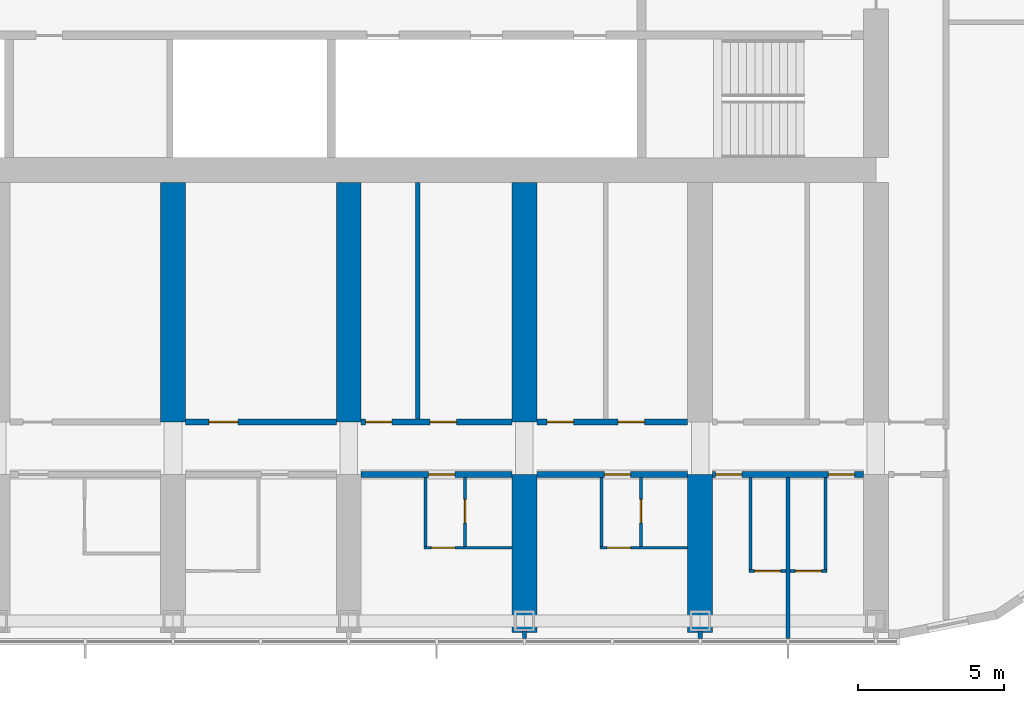
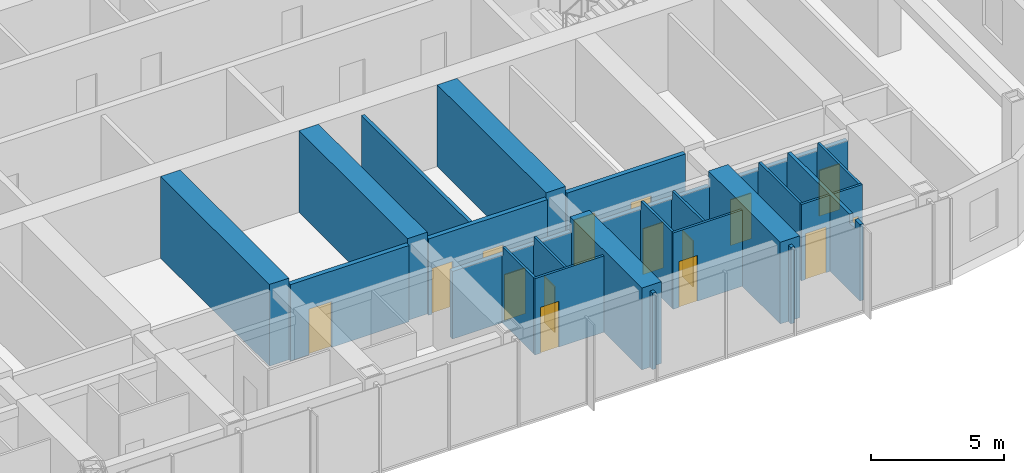
# One storey, part 14 of 27: 25 walls, 15 doors, 15 openings.
"""IFC4 building model written with IfcOpenShell, lengths in metres."""

from ifc_helpers import new_model, si_unit, direction, frame, frame_2d, origin, place, context, subcontext, project, spatial, polyline, rectangle, outline, extrude, material, layer, layer_set, type_object, element, fill, save


model = new_model("IFC4")

# Units and contexts
model_context = context("Model", 3, precision=1e-05, world=origin(), true_north=direction((0.0, 1.0)))
body_context = subcontext(model_context, "Body", "Model", "MODEL_VIEW")
ifc_project = project(units=[si_unit("LENGTHUNIT", "METRE"), si_unit("AREAUNIT", "SQUARE_METRE"), si_unit("VOLUMEUNIT", "CUBIC_METRE"), si_unit("PLANEANGLEUNIT", "RADIAN"), si_unit("MASSUNIT", "GRAM", prefix="KILO")], contexts=[model_context])

# Site, building, storey
site_placement = place(None, origin())
site = spatial("IfcSite", under=ifc_project, at=site_placement, CompositionType="ELEMENT")
building_placement = place(site_placement, origin())
building = spatial("IfcBuilding", under=site, at=building_placement, Name="Orbita Commons", CompositionType="ELEMENT")
storey_placement = place(building_placement, frame((0.0, 0.0, 178.60009765625)))
storey = spatial("IfcBuildingStorey", under=building, at=storey_placement, Name="L44", CompositionType="ELEMENT", Elevation=178.60009765625)

# Wall, opening, door
ifc_material_1 = material(Name="Concrete blockwork", Category="masonry")
ifc_layer_1 = layer(ifc_material_1, 0.199951171875)
ifc_layer_set_1 = layer_set([ifc_layer_1], Name="Concrete blockwork")
wall_type_1 = type_object("IfcWallType", Name="Corridor wall 200 blockwork", PredefinedType="SOLIDWALL", material=ifc_layer_set_1)
wall_1_placement = place(storey_placement, frame((48.425048828125, 15.39990234375, 0.0), z_axis=(0.0, 0.0, 1.0), x_axis=(1.0, 0.0, 0.0)))
wall_1 = element("IfcWall", 1, at=wall_1_placement, inside=storey, type_object=wall_type_1, Name="Corridor wall 200 blockwork L44", PredefinedType="SOLIDWALL", context=body_context, shape_type="SweptSolid", body=[
    extrude(outline(polyline([(0.0, 0.0), (5.14990234375, 0.0), (5.14990234375, 3.099853515625), (0.0, 3.099853515625), (0.0, 0.0)])), frame((0.0, 0.10009765625, 0.0), z_axis=(0.0, -1.0, 0.0), x_axis=(1.0, 0.0, 0.0)), (0.0, 0.0, 1.0), 0.199951171875),
])
opening_1_placement = place(wall_1_placement, frame((2.300048828125, 0.0, 0.0)))
opening_1 = element("IfcOpeningElement", 2, at=opening_1_placement, cuts=wall_1, Name="Opening D11", PredefinedType="OPENING", context=body_context, shape_type="SweptSolid", body=[
    extrude(rectangle(XDim=0.89990234375, YDim=2.10009765625, at=frame_2d((0.449951171875, 1.050048828125))), frame((0.0, 0.10986328125, 0.0), z_axis=(0.0, -1.0, 0.0), x_axis=(1.0, 0.0, 0.0)), (0.0, 0.0, 1.0), 0.219970703125),
])
ifc_material_2 = material(Name="Steel-faced fire door leaf", Category="steel")
door_type_1 = type_object("IfcDoorType", Name="Corridor door 20 min 900x2100", OperationType="SINGLE_SWING_LEFT", PredefinedType="DOOR", material=ifc_material_2)
door_1_placement = place(opening_1_placement, origin())
door_1 = element("IfcDoor", 3, at=door_1_placement, inside=storey, type_object=door_type_1, Name="Studio flat L44-S10 entrance door", OperationType="SINGLE_SWING_LEFT", OverallHeight=2.10009765625, OverallWidth=0.89990234375, PredefinedType="DOOR", context=body_context, shape_type="SweptSolid", body=[
    extrude(rectangle(XDim=0.89990234375, YDim=2.10009765625, at=frame_2d((0.449951171875, 1.050048828125))), frame((0.0, 0.02490234375, 0.0), z_axis=(0.0, -1.0, 0.0), x_axis=(1.0, 0.0, 0.0)), (0.0, 0.0, 1.0), 0.050048828125),
])
fill(opening_1, door_1)

wall_2_placement = place(storey_placement, frame((54.425048828125, 15.39990234375, 0.0), z_axis=(0.0, 0.0, 1.0), x_axis=(1.0, 0.0, 0.0)))
wall_2 = element("IfcWall", 4, at=wall_2_placement, inside=storey, type_object=wall_type_1, Name="Corridor wall 200 blockwork L44", PredefinedType="SOLIDWALL", context=body_context, shape_type="SweptSolid", body=[
    extrude(outline(polyline([(0.0, 0.0), (5.14990234375, 0.0), (5.14990234375, 3.099853515625), (0.0, 3.099853515625), (0.0, 0.0)])), frame((0.0, 0.10009765625, 0.0), z_axis=(0.0, -1.0, 0.0), x_axis=(1.0, 0.0, 0.0)), (0.0, 0.0, 1.0), 0.199951171875),
])
opening_2_placement = place(wall_2_placement, frame((2.300048828125, 0.0, 0.0)))
opening_2 = element("IfcOpeningElement", 5, at=opening_2_placement, cuts=wall_2, Name="Opening D11", PredefinedType="OPENING", context=body_context, shape_type="SweptSolid", body=[
    extrude(rectangle(XDim=0.89990234375, YDim=2.10009765625, at=frame_2d((0.449951171875, 1.050048828125))), frame((0.0, 0.10986328125, 0.0), z_axis=(0.0, -1.0, 0.0), x_axis=(1.0, 0.0, 0.0)), (0.0, 0.0, 1.0), 0.219970703125),
])
door_2_placement = place(opening_2_placement, origin())
door_2 = element("IfcDoor", 6, at=door_2_placement, inside=storey, type_object=door_type_1, Name="Studio flat L44-S12 entrance door", OperationType="SINGLE_SWING_LEFT", OverallHeight=2.10009765625, OverallWidth=0.89990234375, PredefinedType="DOOR", context=body_context, shape_type="SweptSolid", body=[
    extrude(rectangle(XDim=0.89990234375, YDim=2.10009765625, at=frame_2d((0.449951171875, 1.050048828125))), frame((0.0, 0.02490234375, 0.0), z_axis=(0.0, -1.0, 0.0), x_axis=(1.0, 0.0, 0.0)), (0.0, 0.0, 1.0), 0.050048828125),
])
fill(opening_2, door_2)

# Wall, openings, doors
wall_3_placement = place(storey_placement, frame((60.425048828125, 15.39990234375, 0.0), z_axis=(0.0, 0.0, 1.0), x_axis=(1.0, 0.0, 0.0)))
wall_3 = element("IfcWall", 7, at=wall_3_placement, inside=storey, type_object=wall_type_1, Name="Corridor wall 200 blockwork L44", PredefinedType="SOLIDWALL", context=body_context, shape_type="SweptSolid", body=[
    extrude(outline(polyline([(0.0, 0.0), (5.14990234375, 0.0), (5.14990234375, 3.099853515625), (0.0, 3.099853515625), (0.0, 0.0)])), frame((0.0, 0.10009765625, 0.0), z_axis=(0.0, -1.0, 0.0), x_axis=(1.0, 0.0, 0.0)), (0.0, 0.0, 1.0), 0.199951171875),
])
opening_3_placement = place(wall_3_placement, frame((0.10009765625, 0.0, 0.0)))
opening_3 = element("IfcOpeningElement", 8, at=opening_3_placement, cuts=wall_3, Name="Opening D11", PredefinedType="OPENING", context=body_context, shape_type="SweptSolid", body=[
    extrude(rectangle(XDim=0.89990234375, YDim=2.10009765625, at=frame_2d((0.449951171875, 1.050048828125))), frame((0.0, 0.10986328125, 0.0), z_axis=(0.0, -1.0, 0.0), x_axis=(1.0, 0.0, 0.0)), (0.0, 0.0, 1.0), 0.219970703125),
])
opening_4_placement = place(wall_3_placement, frame((3.949951171875, 0.0, 0.0)))
opening_4 = element("IfcOpeningElement", 9, at=opening_4_placement, cuts=wall_3, Name="Opening D11", PredefinedType="OPENING", context=body_context, shape_type="SweptSolid", body=[
    extrude(rectangle(XDim=0.89990234375, YDim=2.10009765625, at=frame_2d((0.449951171875, 1.050048828125))), frame((0.0, 0.10986328125, 0.0), z_axis=(0.0, -1.0, 0.0), x_axis=(1.0, 0.0, 0.0)), (0.0, 0.0, 1.0), 0.219970703125),
])
door_3_placement = place(opening_3_placement, origin())
door_3 = element("IfcDoor", 10, at=door_3_placement, inside=storey, type_object=door_type_1, Name="Cluster bedroom L44-S14 door", OperationType="SINGLE_SWING_LEFT", OverallHeight=2.10009765625, OverallWidth=0.89990234375, PredefinedType="DOOR", context=body_context, shape_type="SweptSolid", body=[
    extrude(rectangle(XDim=0.89990234375, YDim=2.10009765625, at=frame_2d((0.449951171875, 1.050048828125))), frame((0.0, 0.02490234375, 0.0), z_axis=(0.0, -1.0, 0.0), x_axis=(1.0, 0.0, 0.0)), (0.0, 0.0, 1.0), 0.050048828125),
])
fill(opening_3, door_3)
door_4_placement = place(opening_4_placement, origin())
door_4 = element("IfcDoor", 11, at=door_4_placement, inside=storey, type_object=door_type_1, Name="Cluster bedroom L44-S15 door", OperationType="SINGLE_SWING_LEFT", OverallHeight=2.10009765625, OverallWidth=0.89990234375, PredefinedType="DOOR", context=body_context, shape_type="SweptSolid", body=[
    extrude(rectangle(XDim=0.89990234375, YDim=2.10009765625, at=frame_2d((0.449951171875, 1.050048828125))), frame((0.0, 0.02490234375, 0.0), z_axis=(0.0, -1.0, 0.0), x_axis=(1.0, 0.0, 0.0)), (0.0, 0.0, 1.0), 0.050048828125),
])
fill(opening_4, door_4)

# Wall, opening, door
ifc_material_3 = material(Name="Hollow concrete block 200", Category="concrete")
ifc_layer_2 = layer(ifc_material_3, 0.199951171875)
ifc_layer_set_2 = layer_set([ifc_layer_2], Name="Hollow concrete block 200")
wall_type_2 = type_object("IfcWallType", Name="Corridor wall 200 hollow concrete block", PredefinedType="SOLIDWALL", material=ifc_layer_set_2)
wall_4_placement = place(storey_placement, frame((42.425048828125, 17.199951171875, 0.0), z_axis=(0.0, 0.0, 1.0), x_axis=(1.0, 0.0, 0.0)))
wall_4 = element("IfcWall", 12, at=wall_4_placement, inside=storey, type_object=wall_type_2, Name="Corridor wall 200 hollow concrete block L44", PredefinedType="SOLIDWALL", context=body_context, shape_type="SweptSolid", body=[
    extrude(rectangle(XDim=5.14990234375, YDim=0.199951171875, at=frame_2d((2.574951171875, 0.0))), origin(), (0.0, 0.0, 1.0), 3.5),
])
opening_5_placement = place(wall_4_placement, frame((0.800048828125, 0.0, 0.0)))
opening_5 = element("IfcOpeningElement", 13, at=opening_5_placement, cuts=wall_4, Name="Opening D06", PredefinedType="OPENING", context=body_context, shape_type="SweptSolid", body=[
    extrude(rectangle(XDim=1.0, YDim=2.10009765625, at=frame_2d((0.5, 1.050048828125))), frame((0.0, 0.10986328125, 0.0), z_axis=(0.0, -1.0, 0.0), x_axis=(1.0, 0.0, 0.0)), (0.0, 0.0, 1.0), 0.219970703125),
])
ifc_material_4 = material(Name="Steel-faced fire door leaf", Category="steel")
door_type_2 = type_object("IfcDoorType", Name="Corridor door 20 min 1000x2100", OperationType="SINGLE_SWING_LEFT", PredefinedType="DOOR", material=ifc_material_4)
door_5_placement = place(opening_5_placement, origin())
door_5 = element("IfcDoor", 14, at=door_5_placement, inside=storey, type_object=door_type_2, Name="Linen store L44-BDS42 door", OperationType="SINGLE_SWING_LEFT", OverallHeight=2.10009765625, OverallWidth=1.0, PredefinedType="DOOR", context=body_context, shape_type="SweptSolid", body=[
    extrude(rectangle(XDim=1.0, YDim=2.10009765625, at=frame_2d((0.5, 1.050048828125))), frame((0.0, 0.02490234375, 0.0), z_axis=(0.0, -1.0, 0.0), x_axis=(1.0, 0.0, 0.0)), (0.0, 0.0, 1.0), 0.050048828125),
])
fill(opening_5, door_5)

# Wall, openings, doors
wall_5_placement = place(storey_placement, frame((48.425048828125, 17.199951171875, 0.0), z_axis=(0.0, 0.0, 1.0), x_axis=(1.0, 0.0, 0.0)))
wall_5 = element("IfcWall", 15, at=wall_5_placement, inside=storey, type_object=wall_type_2, Name="Corridor wall 200 hollow concrete block L44", PredefinedType="SOLIDWALL", context=body_context, shape_type="SweptSolid", body=[
    extrude(rectangle(XDim=5.14990234375, YDim=0.199951171875, at=frame_2d((2.574951171875, 0.0))), origin(), (0.0, 0.0, 1.0), 3.5),
])
opening_6_placement = place(wall_5_placement, frame((0.14990234375, 0.0, 0.0)))
opening_6 = element("IfcOpeningElement", 16, at=opening_6_placement, cuts=wall_5, Name="Opening D11", PredefinedType="OPENING", context=body_context, shape_type="SweptSolid", body=[
    extrude(rectangle(XDim=0.89990234375, YDim=2.10009765625, at=frame_2d((0.449951171875, 1.050048828125))), frame((0.0, 0.10986328125, 0.0), z_axis=(0.0, -1.0, 0.0), x_axis=(1.0, 0.0, 0.0)), (0.0, 0.0, 1.0), 0.219970703125),
])
opening_7_placement = place(wall_5_placement, frame((2.35498046875, 0.0, 0.0)))
opening_7 = element("IfcOpeningElement", 17, at=opening_7_placement, cuts=wall_5, Name="Opening D11", PredefinedType="OPENING", context=body_context, shape_type="SweptSolid", body=[
    extrude(rectangle(XDim=0.89990234375, YDim=2.10009765625, at=frame_2d((0.449951171875, 1.050048828125))), frame((0.0, 0.10986328125, 0.0), z_axis=(0.0, -1.0, 0.0), x_axis=(1.0, 0.0, 0.0)), (0.0, 0.0, 1.0), 0.219970703125),
])
door_6_placement = place(opening_6_placement, origin())
door_6 = element("IfcDoor", 18, at=door_6_placement, inside=storey, type_object=door_type_1, Name="Equipment store L44-BDS48n door", OperationType="SINGLE_SWING_LEFT", OverallHeight=2.10009765625, OverallWidth=0.89990234375, PredefinedType="DOOR", context=body_context, shape_type="SweptSolid", body=[
    extrude(rectangle(XDim=0.89990234375, YDim=2.10009765625, at=frame_2d((0.449951171875, 1.050048828125))), frame((0.0, 0.02490234375, 0.0), z_axis=(0.0, -1.0, 0.0), x_axis=(1.0, 0.0, 0.0)), (0.0, 0.0, 1.0), 0.050048828125),
])
fill(opening_6, door_6)
door_7_placement = place(opening_7_placement, origin())
door_7 = element("IfcDoor", 19, at=door_7_placement, inside=storey, type_object=door_type_1, Name="Project room L44-BDS48 door", OperationType="SINGLE_SWING_LEFT", OverallHeight=2.10009765625, OverallWidth=0.89990234375, PredefinedType="DOOR", context=body_context, shape_type="SweptSolid", body=[
    extrude(rectangle(XDim=0.89990234375, YDim=2.10009765625, at=frame_2d((0.449951171875, 1.050048828125))), frame((0.0, 0.02490234375, 0.0), z_axis=(0.0, -1.0, 0.0), x_axis=(1.0, 0.0, 0.0)), (0.0, 0.0, 1.0), 0.050048828125),
])
fill(opening_7, door_7)

wall_6_placement = place(storey_placement, frame((54.425048828125, 17.199951171875, 0.0), z_axis=(0.0, 0.0, 1.0), x_axis=(1.0, 0.0, 0.0)))
wall_6 = element("IfcWall", 20, at=wall_6_placement, inside=storey, type_object=wall_type_2, Name="Corridor wall 200 hollow concrete block L44", PredefinedType="SOLIDWALL", context=body_context, shape_type="SweptSolid", body=[
    extrude(rectangle(XDim=5.14990234375, YDim=0.199951171875, at=frame_2d((2.574951171875, 0.0))), origin(), (0.0, 0.0, 1.0), 3.5),
])
opening_8_placement = place(wall_6_placement, frame((0.35009765625, 0.0, 0.0)))
opening_8 = element("IfcOpeningElement", 21, at=opening_8_placement, cuts=wall_6, Name="Opening D11", PredefinedType="OPENING", context=body_context, shape_type="SweptSolid", body=[
    extrude(rectangle(XDim=0.89990234375, YDim=2.10009765625, at=frame_2d((0.449951171875, 1.050048828125))), frame((0.0, 0.10986328125, 0.0), z_axis=(0.0, -1.0, 0.0), x_axis=(1.0, 0.0, 0.0)), (0.0, 0.0, 1.0), 0.219970703125),
])
opening_9_placement = place(wall_6_placement, frame((2.77490234375, 0.0, 0.0)))
opening_9 = element("IfcOpeningElement", 22, at=opening_9_placement, cuts=wall_6, Name="Opening D11", PredefinedType="OPENING", context=body_context, shape_type="SweptSolid", body=[
    extrude(rectangle(XDim=0.89990234375, YDim=2.10009765625, at=frame_2d((0.449951171875, 1.050048828125))), frame((0.0, 0.10986328125, 0.0), z_axis=(0.0, -1.0, 0.0), x_axis=(1.0, 0.0, 0.0)), (0.0, 0.0, 1.0), 0.219970703125),
])
door_8_placement = place(opening_8_placement, origin())
door_8 = element("IfcDoor", 23, at=door_8_placement, inside=storey, type_object=door_type_1, Name="Battery and UPS room L44-BDS54n door", OperationType="SINGLE_SWING_LEFT", OverallHeight=2.10009765625, OverallWidth=0.89990234375, PredefinedType="DOOR", context=body_context, shape_type="SweptSolid", body=[
    extrude(rectangle(XDim=0.89990234375, YDim=2.10009765625, at=frame_2d((0.449951171875, 1.050048828125))), frame((0.0, 0.02490234375, 0.0), z_axis=(0.0, -1.0, 0.0), x_axis=(1.0, 0.0, 0.0)), (0.0, 0.0, 1.0), 0.050048828125),
])
fill(opening_8, door_8)
door_9_placement = place(opening_9_placement, origin())
door_9 = element("IfcDoor", 24, at=door_9_placement, inside=storey, type_object=door_type_1, Name="Recording room L44-BDS54 door", OperationType="SINGLE_SWING_LEFT", OverallHeight=2.10009765625, OverallWidth=0.89990234375, PredefinedType="DOOR", context=body_context, shape_type="SweptSolid", body=[
    extrude(rectangle(XDim=0.89990234375, YDim=2.10009765625, at=frame_2d((0.449951171875, 1.050048828125))), frame((0.0, 0.02490234375, 0.0), z_axis=(0.0, -1.0, 0.0), x_axis=(1.0, 0.0, 0.0)), (0.0, 0.0, 1.0), 0.050048828125),
])
fill(opening_9, door_9)

# Walls
ifc_material_5 = material(Name="Concrete C50/60", Category="concrete")
ifc_layer_3 = layer(ifc_material_5, 0.85009765625)
ifc_layer_set_3 = layer_set([ifc_layer_3], Name="Concrete C50/60")
wall_type_3 = type_object("IfcWallType", Name="Cross wall 850 C50/60", PredefinedType="SHEAR", material=ifc_layer_set_3)
for number, where, z_axis, x_axis, name in (
    (25, (42.0, 17.199951171875, 0.0), (0.0, 0.0, 1.0), (0.0, 1.0, 0.0), "Cross wall 8 south inner L44"),
    (26, (48.0, 17.199951171875, 0.0), (0.0, 0.0, 1.0), (0.0, 1.0, 0.0), "Cross wall 9 south inner L44"),
):
    element("IfcWall", number, at=place(storey_placement, frame(where, z_axis=z_axis, x_axis=x_axis)), inside=storey, type_object=wall_type_3, Name=name, PredefinedType="SHEAR", context=body_context, shape_type="SweptSolid", body=[
        extrude(rectangle(XDim=8.175048828125, YDim=0.85009765625, at=frame_2d((4.08740234375, 0.0))), origin(), (0.0, 0.0, 1.0), 3.75),
    ])
wall_7_placement = place(storey_placement, frame((54.0, 10.0, 0.0), z_axis=(0.0, 0.0, 1.0), x_axis=(0.0, 1.0, 0.0)))
element("IfcWall", 27, at=wall_7_placement, inside=storey, type_object=wall_type_3, Name="Cross wall 10 south outer L44", PredefinedType="SHEAR", context=body_context, shape_type="SweptSolid", body=[
    extrude(rectangle(XDim=5.39990234375, YDim=0.85009765625, at=frame_2d((2.699951171875, 0.0))), origin(), (0.0, 0.0, 1.0), 3.75),
])
wall_8_placement = place(storey_placement, frame((54.0, 17.199951171875, 0.0), z_axis=(0.0, 0.0, 1.0), x_axis=(0.0, 1.0, 0.0)))
element("IfcWall", 28, at=wall_8_placement, inside=storey, type_object=wall_type_3, Name="Cross wall 10 south inner L44", PredefinedType="SHEAR", context=body_context, shape_type="SweptSolid", body=[
    extrude(rectangle(XDim=8.175048828125, YDim=0.85009765625, at=frame_2d((4.08740234375, 0.0))), origin(), (0.0, 0.0, 1.0), 3.75),
])
wall_9_placement = place(storey_placement, frame((60.0, 10.0, 0.0), z_axis=(0.0, 0.0, 1.0), x_axis=(0.0, 1.0, 0.0)))
element("IfcWall", 29, at=wall_9_placement, inside=storey, type_object=wall_type_3, Name="Cross wall 11 south outer L44", PredefinedType="SHEAR", context=body_context, shape_type="SweptSolid", body=[
    extrude(rectangle(XDim=5.39990234375, YDim=0.85009765625, at=frame_2d((2.699951171875, 0.0))), origin(), (0.0, 0.0, 1.0), 3.75),
])

# Wall, opening, door
ifc_material_6 = material(Name="Moisture-resistant plasterboard on steel studs", Category="steel")
ifc_layer_4 = layer(ifc_material_6, 0.10009765625)
ifc_layer_set_4 = layer_set([ifc_layer_4], Name="Moisture-resistant plasterboard on steel studs")
wall_type_4 = type_object("IfcWallType", Name="En-suite partition 100", PredefinedType="PARTITIONING", material=ifc_layer_set_4)
wall_10_placement = place(storey_placement, frame((53.574951171875, 12.89990234375, 0.0), z_axis=(0.0, 0.0, 1.0), x_axis=(-1.0, 0.0, 0.0)))
wall_10 = element("IfcWall", 30, at=wall_10_placement, inside=storey, type_object=wall_type_4, Name="En-suite partition 100 L44", PredefinedType="PARTITIONING", context=body_context, shape_type="SweptSolid", body=[
    extrude(rectangle(XDim=3.0, YDim=0.10009765625, at=frame_2d((1.5, 0.0))), origin(), (0.0, 0.0, 1.0), 3.5),
])
opening_10_placement = place(wall_10_placement, frame((1.949951171875, 0.0, 0.0)))
opening_10 = element("IfcOpeningElement", 31, at=opening_10_placement, cuts=wall_10, Name="Opening D16", PredefinedType="OPENING", context=body_context, shape_type="SweptSolid", body=[
    extrude(rectangle(XDim=0.800048828125, YDim=2.10009765625, at=frame_2d((0.39990234375, 1.050048828125))), frame((0.0, 0.06005859375, 0.0), z_axis=(0.0, -1.0, 0.0), x_axis=(1.0, 0.0, 0.0)), (0.0, 0.0, 1.0), 0.1201171875),
])
ifc_material_7 = material(Name="Laminated timber door leaf", Category="wood")
door_type_3 = type_object("IfcDoorType", Name="En-suite door 800x2100", OperationType="SINGLE_SWING_RIGHT", PredefinedType="DOOR", material=ifc_material_7)
door_10_placement = place(opening_10_placement, origin())
door_10 = element("IfcDoor", 32, at=door_10_placement, inside=storey, type_object=door_type_3, Name="Studio flat L44-S10 door", OperationType="SINGLE_SWING_RIGHT", OverallHeight=2.10009765625, OverallWidth=0.800048828125, PredefinedType="DOOR", context=body_context, shape_type="SweptSolid", body=[
    extrude(rectangle(XDim=0.800048828125, YDim=2.10009765625, at=frame_2d((0.39990234375, 1.050048828125))), frame((0.0, 0.02490234375, 0.0), z_axis=(0.0, -1.0, 0.0), x_axis=(1.0, 0.0, 0.0)), (0.0, 0.0, 1.0), 0.050048828125),
])
fill(opening_10, door_10)

# Wall
wall_11_placement = place(storey_placement, frame((50.625, 12.949951171875, 0.0), z_axis=(0.0, 0.0, 1.0), x_axis=(0.0, 1.0, 0.0)))
element("IfcWall", 33, at=wall_11_placement, inside=storey, type_object=wall_type_4, Name="En-suite partition 100 L44", PredefinedType="PARTITIONING", context=body_context, shape_type="SweptSolid", body=[
    extrude(outline(polyline([(0.0, 0.0), (2.35009765625, 0.0), (2.35009765625, 3.099853515625), (2.302001953125, 3.099853515625), (2.300048828125, 3.5), (0.0, 3.5), (0.0, 0.0)])), frame((0.0, 0.050048828125, 0.0), z_axis=(0.0, -1.0, 0.0), x_axis=(1.0, 0.0, 0.0)), (0.0, 0.0, 1.0), 0.10009765625),
])

# Wall, opening, door
wall_12_placement = place(storey_placement, frame((51.97509765625, 12.949951171875, 0.0), z_axis=(0.0, 0.0, 1.0), x_axis=(0.0, 1.0, 0.0)))
wall_12 = element("IfcWall", 34, at=wall_12_placement, inside=storey, type_object=wall_type_4, Name="En-suite partition 100 L44", PredefinedType="PARTITIONING", context=body_context, shape_type="SweptSolid", body=[
    extrude(outline(polyline([(0.0, 0.0), (2.35009765625, 0.0), (2.35009765625, 3.099853515625), (2.302001953125, 3.099853515625), (2.300048828125, 3.5), (0.0, 3.5), (0.0, 0.0)])), frame((0.0, 0.050048828125, 0.0), z_axis=(0.0, -1.0, 0.0), x_axis=(1.0, 0.0, 0.0)), (0.0, 0.0, 1.0), 0.10009765625),
])
opening_11_placement = place(wall_12_placement, frame((0.800048828125, 0.0, 0.0)))
opening_11 = element("IfcOpeningElement", 35, at=opening_11_placement, cuts=wall_12, Name="Opening D16", PredefinedType="OPENING", context=body_context, shape_type="SweptSolid", body=[
    extrude(rectangle(XDim=0.800048828125, YDim=2.10009765625, at=frame_2d((0.39990234375, 1.050048828125))), frame((0.0, 0.06005859375, 0.0), z_axis=(0.0, -1.0, 0.0), x_axis=(1.0, 0.0, 0.0)), (0.0, 0.0, 1.0), 0.1201171875),
])
door_11_placement = place(opening_11_placement, origin())
door_11 = element("IfcDoor", 36, at=door_11_placement, inside=storey, type_object=door_type_3, Name="Studio flat shower room L44-S10 door", OperationType="SINGLE_SWING_RIGHT", OverallHeight=2.10009765625, OverallWidth=0.800048828125, PredefinedType="DOOR", context=body_context, shape_type="SweptSolid", body=[
    extrude(rectangle(XDim=0.800048828125, YDim=2.10009765625, at=frame_2d((0.39990234375, 1.050048828125))), frame((0.0, 0.02490234375, 0.0), z_axis=(0.0, -1.0, 0.0), x_axis=(1.0, 0.0, 0.0)), (0.0, 0.0, 1.0), 0.050048828125),
])
fill(opening_11, door_11)

wall_13_placement = place(storey_placement, frame((59.574951171875, 12.89990234375, 0.0), z_axis=(0.0, 0.0, 1.0), x_axis=(-1.0, 0.0, 0.0)))
wall_13 = element("IfcWall", 37, at=wall_13_placement, inside=storey, type_object=wall_type_4, Name="En-suite partition 100 L44", PredefinedType="PARTITIONING", context=body_context, shape_type="SweptSolid", body=[
    extrude(rectangle(XDim=3.0, YDim=0.10009765625, at=frame_2d((1.5, 0.0))), origin(), (0.0, 0.0, 1.0), 3.5),
])
opening_12_placement = place(wall_13_placement, frame((1.949951171875, 0.0, 0.0)))
opening_12 = element("IfcOpeningElement", 38, at=opening_12_placement, cuts=wall_13, Name="Opening D16", PredefinedType="OPENING", context=body_context, shape_type="SweptSolid", body=[
    extrude(rectangle(XDim=0.800048828125, YDim=2.10009765625, at=frame_2d((0.39990234375, 1.050048828125))), frame((0.0, 0.06005859375, 0.0), z_axis=(0.0, -1.0, 0.0), x_axis=(1.0, 0.0, 0.0)), (0.0, 0.0, 1.0), 0.1201171875),
])
door_12_placement = place(opening_12_placement, origin())
door_12 = element("IfcDoor", 39, at=door_12_placement, inside=storey, type_object=door_type_3, Name="Studio flat L44-S12 door", OperationType="SINGLE_SWING_RIGHT", OverallHeight=2.10009765625, OverallWidth=0.800048828125, PredefinedType="DOOR", context=body_context, shape_type="SweptSolid", body=[
    extrude(rectangle(XDim=0.800048828125, YDim=2.10009765625, at=frame_2d((0.39990234375, 1.050048828125))), frame((0.0, 0.02490234375, 0.0), z_axis=(0.0, -1.0, 0.0), x_axis=(1.0, 0.0, 0.0)), (0.0, 0.0, 1.0), 0.050048828125),
])
fill(opening_12, door_12)

# Wall
wall_14_placement = place(storey_placement, frame((56.625, 12.949951171875, 0.0), z_axis=(0.0, 0.0, 1.0), x_axis=(0.0, 1.0, 0.0)))
element("IfcWall", 40, at=wall_14_placement, inside=storey, type_object=wall_type_4, Name="En-suite partition 100 L44", PredefinedType="PARTITIONING", context=body_context, shape_type="SweptSolid", body=[
    extrude(outline(polyline([(0.0, 0.0), (2.35009765625, 0.0), (2.35009765625, 3.099853515625), (2.302001953125, 3.099853515625), (2.300048828125, 3.5), (0.0, 3.5), (0.0, 0.0)])), frame((0.0, 0.050048828125, 0.0), z_axis=(0.0, -1.0, 0.0), x_axis=(1.0, 0.0, 0.0)), (0.0, 0.0, 1.0), 0.10009765625),
])

# Wall, opening, door
wall_15_placement = place(storey_placement, frame((57.97509765625, 12.949951171875, 0.0), z_axis=(0.0, 0.0, 1.0), x_axis=(0.0, 1.0, 0.0)))
wall_15 = element("IfcWall", 41, at=wall_15_placement, inside=storey, type_object=wall_type_4, Name="En-suite partition 100 L44", PredefinedType="PARTITIONING", context=body_context, shape_type="SweptSolid", body=[
    extrude(outline(polyline([(0.0, 0.0), (2.35009765625, 0.0), (2.35009765625, 3.099853515625), (2.302001953125, 3.099853515625), (2.300048828125, 3.5), (0.0, 3.5), (0.0, 0.0)])), frame((0.0, 0.050048828125, 0.0), z_axis=(0.0, -1.0, 0.0), x_axis=(1.0, 0.0, 0.0)), (0.0, 0.0, 1.0), 0.10009765625),
])
opening_13_placement = place(wall_15_placement, frame((0.800048828125, 0.0, 0.0)))
opening_13 = element("IfcOpeningElement", 42, at=opening_13_placement, cuts=wall_15, Name="Opening D16", PredefinedType="OPENING", context=body_context, shape_type="SweptSolid", body=[
    extrude(rectangle(XDim=0.800048828125, YDim=2.10009765625, at=frame_2d((0.39990234375, 1.050048828125))), frame((0.0, 0.06005859375, 0.0), z_axis=(0.0, -1.0, 0.0), x_axis=(1.0, 0.0, 0.0)), (0.0, 0.0, 1.0), 0.1201171875),
])
door_13_placement = place(opening_13_placement, origin())
door_13 = element("IfcDoor", 43, at=door_13_placement, inside=storey, type_object=door_type_3, Name="Studio flat shower room L44-S12 door", OperationType="SINGLE_SWING_RIGHT", OverallHeight=2.10009765625, OverallWidth=0.800048828125, PredefinedType="DOOR", context=body_context, shape_type="SweptSolid", body=[
    extrude(rectangle(XDim=0.800048828125, YDim=2.10009765625, at=frame_2d((0.39990234375, 1.050048828125))), frame((0.0, 0.02490234375, 0.0), z_axis=(0.0, -1.0, 0.0), x_axis=(1.0, 0.0, 0.0)), (0.0, 0.0, 1.0), 0.050048828125),
])
fill(opening_13, door_13)

wall_16_placement = place(storey_placement, frame((62.925048828125, 12.10009765625, 0.0), z_axis=(0.0, 0.0, 1.0), x_axis=(-1.0, 0.0, 0.0)))
wall_16 = element("IfcWall", 44, at=wall_16_placement, inside=storey, type_object=wall_type_4, Name="En-suite partition 100 L44", PredefinedType="PARTITIONING", context=body_context, shape_type="SweptSolid", body=[
    extrude(rectangle(XDim=1.25, YDim=0.10009765625, at=frame_2d((0.625, 0.0))), origin(), (0.0, 0.0, 1.0), 3.5),
])
opening_14_placement = place(wall_16_placement, frame((0.175048828125, 0.0, 0.0)))
opening_14 = element("IfcOpeningElement", 45, at=opening_14_placement, cuts=wall_16, Name="Opening D09", PredefinedType="OPENING", context=body_context, shape_type="SweptSolid", body=[
    extrude(rectangle(XDim=0.89990234375, YDim=2.10009765625, at=frame_2d((0.449951171875, 1.050048828125))), frame((0.0, 0.06005859375, 0.0), z_axis=(0.0, -1.0, 0.0), x_axis=(1.0, 0.0, 0.0)), (0.0, 0.0, 1.0), 0.1201171875),
])
ifc_material_8 = material(Name="Laminated timber door leaf", Category="wood")
door_type_4 = type_object("IfcDoorType", Name="En-suite door 900x2100", OperationType="SINGLE_SWING_RIGHT", PredefinedType="DOOR", material=ifc_material_8)
door_14_placement = place(opening_14_placement, origin())
door_14 = element("IfcDoor", 46, at=door_14_placement, inside=storey, type_object=door_type_4, Name="En-suite L44-S14 door", OperationType="SINGLE_SWING_RIGHT", OverallHeight=2.10009765625, OverallWidth=0.89990234375, PredefinedType="DOOR", context=body_context, shape_type="SweptSolid", body=[
    extrude(rectangle(XDim=0.89990234375, YDim=2.10009765625, at=frame_2d((0.449951171875, 1.050048828125))), frame((0.0, 0.02490234375, 0.0), z_axis=(0.0, -1.0, 0.0), x_axis=(1.0, 0.0, 0.0)), (0.0, 0.0, 1.0), 0.050048828125),
])
fill(opening_14, door_14)

# Wall
wall_17_placement = place(storey_placement, frame((61.72509765625, 12.14990234375, 0.0), z_axis=(0.0, 0.0, 1.0), x_axis=(0.0, 1.0, 0.0)))
element("IfcWall", 47, at=wall_17_placement, inside=storey, type_object=wall_type_4, Name="En-suite partition 100 L44", PredefinedType="PARTITIONING", context=body_context, shape_type="SweptSolid", body=[
    extrude(outline(polyline([(0.0, 0.0), (3.150146484375, 0.0), (3.14990234375, 3.099853515625), (3.10205078125, 3.099853515625), (3.10009765625, 3.5), (0.0, 3.5), (0.0, 0.0)])), frame((0.0, 0.050048828125, 0.0), z_axis=(0.0, -1.0, 0.0), x_axis=(1.0, 0.0, 0.0)), (0.0, 0.0, 1.0), 0.10009765625),
])

# Wall, opening, door
wall_18_placement = place(storey_placement, frame((64.324951171875, 12.10009765625, 0.0), z_axis=(0.0, 0.0, 1.0), x_axis=(-1.0, 0.0, 0.0)))
wall_18 = element("IfcWall", 48, at=wall_18_placement, inside=storey, type_object=wall_type_4, Name="En-suite partition 100 L44", PredefinedType="PARTITIONING", context=body_context, shape_type="SweptSolid", body=[
    extrude(rectangle(XDim=1.25, YDim=0.10009765625, at=frame_2d((0.625, 0.0))), origin(), (0.0, 0.0, 1.0), 3.5),
])
opening_15_placement = place(wall_18_placement, frame((0.175048828125, 0.0, 0.0)))
opening_15 = element("IfcOpeningElement", 49, at=opening_15_placement, cuts=wall_18, Name="Opening D09", PredefinedType="OPENING", context=body_context, shape_type="SweptSolid", body=[
    extrude(rectangle(XDim=0.89990234375, YDim=2.10009765625, at=frame_2d((0.449951171875, 1.050048828125))), frame((0.0, 0.06005859375, 0.0), z_axis=(0.0, -1.0, 0.0), x_axis=(1.0, 0.0, 0.0)), (0.0, 0.0, 1.0), 0.1201171875),
])
door_15_placement = place(opening_15_placement, origin())
door_15 = element("IfcDoor", 50, at=door_15_placement, inside=storey, type_object=door_type_4, Name="En-suite L44-S15 door", OperationType="SINGLE_SWING_RIGHT", OverallHeight=2.10009765625, OverallWidth=0.89990234375, PredefinedType="DOOR", context=body_context, shape_type="SweptSolid", body=[
    extrude(rectangle(XDim=0.89990234375, YDim=2.10009765625, at=frame_2d((0.449951171875, 1.050048828125))), frame((0.0, 0.02490234375, 0.0), z_axis=(0.0, -1.0, 0.0), x_axis=(1.0, 0.0, 0.0)), (0.0, 0.0, 1.0), 0.050048828125),
])
fill(opening_15, door_15)

# Walls
wall_19_placement = place(storey_placement, frame((64.27490234375, 12.14990234375, 0.0), z_axis=(0.0, 0.0, 1.0), x_axis=(0.0, 1.0, 0.0)))
element("IfcWall", 51, at=wall_19_placement, inside=storey, type_object=wall_type_4, Name="En-suite partition 100 L44", PredefinedType="PARTITIONING", context=body_context, shape_type="SweptSolid", body=[
    extrude(outline(polyline([(0.0, 0.0), (3.150146484375, 0.0), (3.14990234375, 3.099853515625), (3.10205078125, 3.099853515625), (3.10009765625, 3.5), (0.0, 3.5), (0.0, 0.0)])), frame((0.0, 0.050048828125, 0.0), z_axis=(0.0, -1.0, 0.0), x_axis=(1.0, 0.0, 0.0)), (0.0, 0.0, 1.0), 0.10009765625),
])
ifc_material_9 = material(Name="Gypsum plasterboard on steel studs", Category="steel")
ifc_layer_5 = layer(ifc_material_9, 0.14990234375)
ifc_layer_set_5 = layer_set([ifc_layer_5], Name="Gypsum plasterboard on steel studs")
wall_type_5 = type_object("IfcWallType", Name="Partition 150 plasterboard", PredefinedType="PARTITIONING", material=ifc_layer_set_5)
wall_20_placement = place(storey_placement, frame((50.35498046875, 17.300048828125, 0.0), z_axis=(0.0, 0.0, 1.0), x_axis=(0.0, 1.0, 0.0)))
element("IfcWall", 52, at=wall_20_placement, inside=storey, type_object=wall_type_5, Name="Partition 150 plasterboard L44", PredefinedType="PARTITIONING", context=body_context, shape_type="SweptSolid", body=[
    extrude(rectangle(XDim=8.074951171875, YDim=0.14990234375, at=frame_2d((4.03759765625, 0.0))), origin(), (0.0, 0.0, 1.0), 3.5),
])
for number, where, z_axis, x_axis, name in (
    (53, (54.0, 10.050048828125, 0.0), (0.0, 0.0, 1.0), (0.0, -1.0, 0.0), "Partition 150 plasterboard L44"),
    (54, (60.0, 10.050048828125, 0.0), (0.0, 0.0, 1.0), (0.0, -1.0, 0.0), "Partition 150 plasterboard L44"),
):
    element("IfcWall", number, at=place(storey_placement, frame(where, z_axis=z_axis, x_axis=x_axis)), inside=storey, type_object=wall_type_5, Name=name, PredefinedType="PARTITIONING", context=body_context, shape_type="SweptSolid", body=[
        extrude(rectangle(XDim=0.239990234375, YDim=0.14990234375, at=frame_2d((0.1201171875, 0.0))), origin(), (0.0, 0.0, 1.0), 3.5),
    ])
ifc_material_10 = material(Name="Gypsum plasterboard on steel studs", Category="steel")
ifc_layer_6 = layer(ifc_material_10, 0.14990234375)
ifc_layer_set_6 = layer_set([ifc_layer_6], Name="Gypsum plasterboard on steel studs")
wall_type_6 = type_object("IfcWallType", Name="Party wall 150 plasterboard", PredefinedType="PARTITIONING", material=ifc_layer_set_6)
wall_21_placement = place(storey_placement, frame((63.0, 9.81005859375, 0.0), z_axis=(0.0, 0.0, 1.0), x_axis=(0.0, 1.0, 0.0)))
element("IfcWall", 55, at=wall_21_placement, inside=storey, type_object=wall_type_6, Name="Party wall 150 plasterboard L44", PredefinedType="PARTITIONING", context=body_context, shape_type="SweptSolid", body=[
    extrude(outline(polyline([(0.0, 0.0), (5.489990234375, 0.0), (5.489990234375, 3.099853515625), (5.44189453125, 3.099853515625), (5.43994140625, 3.5), (0.7919921875, 3.5), (0.7900390625, 3.099853515625), (0.39208984375, 3.099853515625), (0.389892578125, 3.5), (0.0, 3.5), (0.0, 0.0)])), frame((0.0, 0.074951171875, 0.0), z_axis=(0.0, -1.0, 0.0), x_axis=(1.0, 0.0, 0.0)), (0.0, 0.0, 1.0), 0.14990234375),
])

save(model, "model.ifc")
